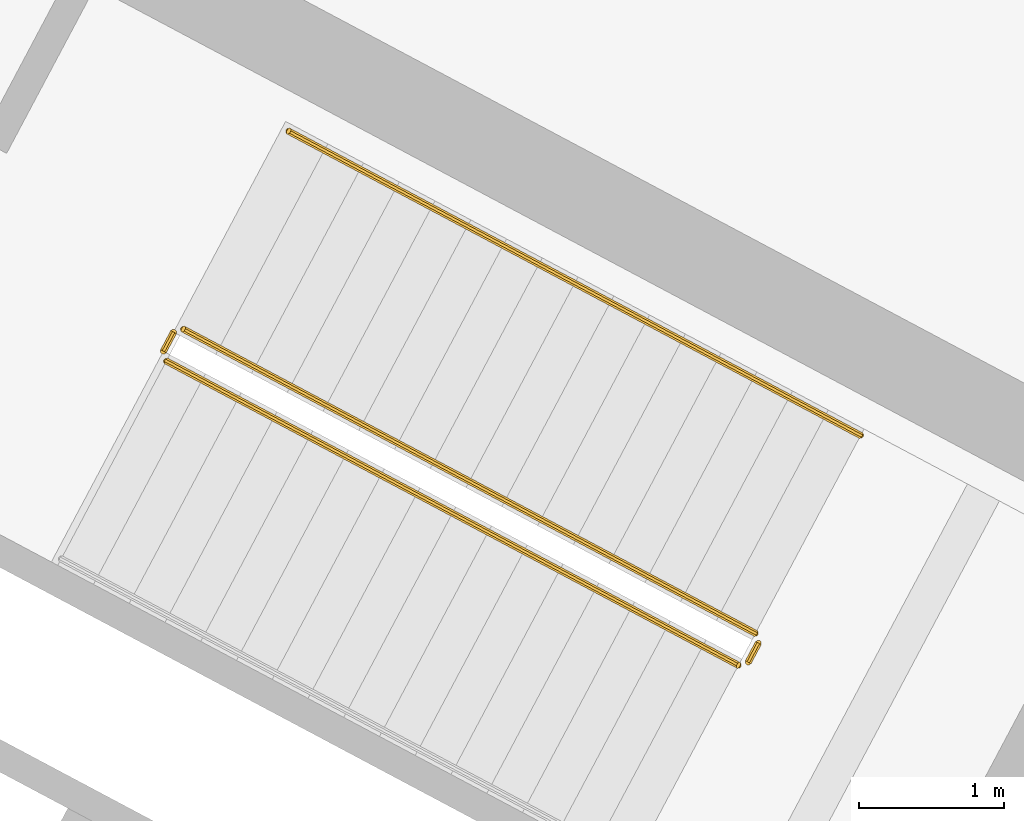
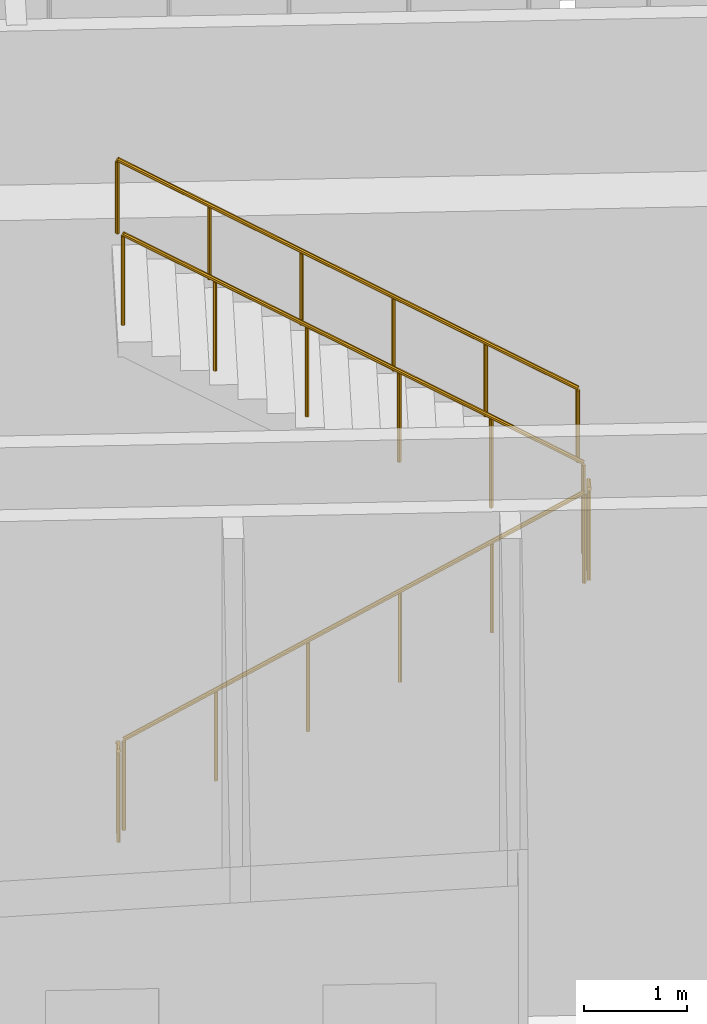
# One storey, part 27 of 33: 5 railings.
"""IFC4 building model written with IfcOpenShell, lengths in metres."""

from ifc_helpers import new_model, si_unit, direction, frame, origin, place, context, subcontext, project, spatial, polyline, outline, extrude, material, type_object, element, save


model = new_model("IFC4")

# Units and contexts
model_context = context("Model", 3, precision=1e-05, world=origin(), true_north=direction((0.0, 1.0)))
body_context = subcontext(model_context, "Body", "Model", "MODEL_VIEW")
ifc_project = project(units=[si_unit("LENGTHUNIT", "METRE"), si_unit("AREAUNIT", "SQUARE_METRE"), si_unit("VOLUMEUNIT", "CUBIC_METRE"), si_unit("PLANEANGLEUNIT", "RADIAN"), si_unit("MASSUNIT", "GRAM", prefix="KILO")], contexts=[model_context])

# Site, building, storey
site_placement = place(None, origin())
site = spatial("IfcSite", under=ifc_project, at=site_placement, CompositionType="ELEMENT")
building_placement = place(site_placement, origin())
building = spatial("IfcBuilding", under=site, at=building_placement, Name="Cormorant Relay Tower", CompositionType="ELEMENT")
storey_placement = place(building_placement, frame((0.0, 0.0, 252.0)))
storey = spatial("IfcBuildingStorey", under=building, at=storey_placement, Name="L56", CompositionType="ELEMENT", Elevation=252.0)

# Railings
ifc_material_1 = material(Name="Steel ASTM A572 Grade 50 (Fy 345 MPa)", Category="steel")
railing_type_1 = type_object("IfcRailingType", Name="Stair guard 1100", PredefinedType="GUARDRAIL", material=ifc_material_1)
railing_1_placement = place(storey_placement, frame((-20.75048828125, 19.017822265625, 0.176513671875)))
element("IfcRailing", 1, at=railing_1_placement, inside=storey, type_object=railing_type_1, Name="L56 A1 stair guard 1", PredefinedType="GUARDRAIL", context=body_context, shape_type="SweptSolid", body=[
    extrude(outline(polyline([(0.022216796875, 0.00927734375), (0.00927734375, 0.022216796875), (-0.00927734375, 0.022216796875), (-0.022216796875, 0.00927734375), (-0.022216796875, -0.00927734375), (-0.00927734375, -0.022216796875), (0.00927734375, -0.022216796875), (0.022216796875, -0.00927734375), (0.022216796875, 0.00927734375)])), frame((0.0, 0.0, 1.076171875), z_axis=(0.746967351038, -0.397180825157, 0.533185866853), x_axis=(0.469481920044, 0.882942085729, 0.0)), (0.0, 0.0, 1.0), 5.29541015625),
    extrude(outline(polyline([(0.019287109375, 0.008056640625), (0.008056640625, 0.019287109375), (-0.008056640625, 0.019287109375), (-0.019287109375, 0.008056640625), (-0.019287109375, -0.008056640625), (-0.008056640625, -0.019287109375), (0.008056640625, -0.019287109375), (0.019287109375, -0.008056640625), (0.019287109375, 0.008056640625)])), origin(), (0.0, 0.0, 1.0), 1.052001953125),
    extrude(outline(polyline([(0.019287109375, 0.008056640625), (0.008056640625, 0.019287109375), (-0.008056640625, 0.019287109375), (-0.019287109375, 0.008056640625), (-0.019287109375, -0.008056640625), (-0.008056640625, -0.019287109375), (0.008056640625, -0.019287109375), (0.019287109375, -0.008056640625), (0.019287109375, 0.008056640625)])), frame((0.791015625, -0.420654296875, 0.564697265625)), (0.0, 0.0, 1.0), 1.052001953125),
    extrude(outline(polyline([(0.019287109375, 0.008056640625), (0.008056640625, 0.019287109375), (-0.008056640625, 0.019287109375), (-0.019287109375, 0.008056640625), (-0.019287109375, -0.008056640625), (-0.008056640625, -0.019287109375), (0.008056640625, -0.019287109375), (0.019287109375, -0.008056640625), (0.019287109375, 0.008056640625)])), frame((1.582275390625, -0.84130859375, 1.12939453125)), (0.0, 0.0, 1.0), 1.052001953125),
    extrude(outline(polyline([(0.019287109375, 0.008056640625), (0.008056640625, 0.019287109375), (-0.008056640625, 0.019287109375), (-0.019287109375, 0.008056640625), (-0.019287109375, -0.008056640625), (-0.008056640625, -0.019287109375), (0.008056640625, -0.019287109375), (0.019287109375, -0.008056640625), (0.019287109375, 0.008056640625)])), frame((2.373291015625, -1.261962890625, 1.694091796875)), (0.0, 0.0, 1.0), 1.052001953125),
    extrude(outline(polyline([(0.019287109375, 0.008056640625), (0.008056640625, 0.019287109375), (-0.008056640625, 0.019287109375), (-0.019287109375, 0.008056640625), (-0.019287109375, -0.008056640625), (-0.008056640625, -0.019287109375), (0.008056640625, -0.019287109375), (0.019287109375, -0.008056640625), (0.019287109375, 0.008056640625)])), frame((3.16455078125, -1.6826171875, 2.2587890625)), (0.0, 0.0, 1.0), 1.052001953125),
    extrude(outline(polyline([(0.019287109375, 0.008056640625), (0.008056640625, 0.019287109375), (-0.008056640625, 0.019287109375), (-0.019287109375, 0.008056640625), (-0.019287109375, -0.008056640625), (-0.008056640625, -0.019287109375), (0.008056640625, -0.019287109375), (0.019287109375, -0.008056640625), (0.019287109375, 0.008056640625)])), frame((3.95556640625, -2.103271484375, 2.823486328125)), (0.0, 0.0, 1.0), 1.052001953125),
])
railing_2_placement = place(storey_placement, frame((-16.727294921875, 16.935302734375, 3.0)))
element("IfcRailing", 2, at=railing_2_placement, inside=storey, type_object=railing_type_1, Name="L56 A1 stair guard 2", PredefinedType="GUARDRAIL", context=body_context, shape_type="SweptSolid", body=[
    extrude(outline(polyline([(0.022216796875, 0.00927734375), (0.00927734375, 0.022216796875), (-0.00927734375, 0.022216796875), (-0.022216796875, 0.00927734375), (-0.022216796875, -0.00927734375), (-0.00927734375, -0.022216796875), (0.00927734375, -0.022216796875), (0.022216796875, -0.00927734375), (0.022216796875, 0.00927734375)])), frame((0.0, 0.0, 1.076171875), z_axis=(0.46856034887, 0.8834314911, 0.0), x_axis=(-0.8834314911, 0.46856034887, 0.0)), (0.0, 0.0, 1.0), 0.150146484375),
    extrude(outline(polyline([(0.019287109375, 0.008056640625), (0.008056640625, 0.019287109375), (-0.008056640625, 0.019287109375), (-0.019287109375, 0.008056640625), (-0.019287109375, -0.008056640625), (-0.008056640625, -0.019287109375), (0.008056640625, -0.019287109375), (0.019287109375, -0.008056640625), (0.019287109375, 0.008056640625)])), origin(), (0.0, 0.0, 1.0), 1.052001953125),
    extrude(outline(polyline([(0.019287109375, 0.008056640625), (0.008056640625, 0.019287109375), (-0.008056640625, 0.019287109375), (-0.019287109375, 0.008056640625), (-0.019287109375, -0.008056640625), (-0.008056640625, -0.019287109375), (0.008056640625, -0.019287109375), (0.019287109375, -0.008056640625), (0.019287109375, 0.008056640625)])), frame((0.0703125, 0.132568359375, 0.0)), (0.0, 0.0, 1.0), 1.052001953125),
])
railing_3_placement = place(storey_placement, frame((-16.677490234375, 17.135498046875, 3.176513671875)))
element("IfcRailing", 3, at=railing_3_placement, inside=storey, type_object=railing_type_1, Name="L56 A1 stair guard 3", PredefinedType="GUARDRAIL", context=body_context, shape_type="SweptSolid", body=[
    extrude(outline(polyline([(0.022216796875, 0.00927734375), (0.00927734375, 0.022216796875), (-0.00927734375, 0.022216796875), (-0.022216796875, 0.00927734375), (-0.022216796875, -0.00927734375), (-0.00927734375, -0.022216796875), (0.00927734375, -0.022216796875), (0.022216796875, -0.00927734375), (0.022216796875, 0.00927734375)])), frame((0.0, 0.0, 1.076171875), z_axis=(-0.747001406545, 0.39712831673, 0.533177267586), x_axis=(-0.469416846059, -0.882976684084, 0.0)), (0.0, 0.0, 1.0), 5.295654296875),
    extrude(outline(polyline([(0.019287109375, 0.008056640625), (0.008056640625, 0.019287109375), (-0.008056640625, 0.019287109375), (-0.019287109375, 0.008056640625), (-0.019287109375, -0.008056640625), (-0.008056640625, -0.019287109375), (0.008056640625, -0.019287109375), (0.019287109375, -0.008056640625), (0.019287109375, 0.008056640625)])), origin(), (0.0, 0.0, 1.0), 1.052001953125),
    extrude(outline(polyline([(0.019287109375, 0.008056640625), (0.008056640625, 0.019287109375), (-0.008056640625, 0.019287109375), (-0.019287109375, 0.008056640625), (-0.019287109375, -0.008056640625), (-0.008056640625, -0.019287109375), (0.008056640625, -0.019287109375), (0.019287109375, -0.008056640625), (0.019287109375, 0.008056640625)])), frame((-0.791259765625, 0.420654296875, 0.564697265625)), (0.0, 0.0, 1.0), 1.052001953125),
    extrude(outline(polyline([(0.019287109375, 0.008056640625), (0.008056640625, 0.019287109375), (-0.008056640625, 0.019287109375), (-0.019287109375, 0.008056640625), (-0.019287109375, -0.008056640625), (-0.008056640625, -0.019287109375), (0.008056640625, -0.019287109375), (0.019287109375, -0.008056640625), (0.019287109375, 0.008056640625)])), frame((-1.582275390625, 0.84130859375, 1.12939453125)), (0.0, 0.0, 1.0), 1.052001953125),
    extrude(outline(polyline([(0.019287109375, 0.008056640625), (0.008056640625, 0.019287109375), (-0.008056640625, 0.019287109375), (-0.019287109375, 0.008056640625), (-0.019287109375, -0.008056640625), (-0.008056640625, -0.019287109375), (0.008056640625, -0.019287109375), (0.019287109375, -0.008056640625), (0.019287109375, 0.008056640625)])), frame((-2.37353515625, 1.26171875, 1.694091796875)), (0.0, 0.0, 1.0), 1.052001953125),
    extrude(outline(polyline([(0.019287109375, 0.008056640625), (0.008056640625, 0.019287109375), (-0.008056640625, 0.019287109375), (-0.019287109375, 0.008056640625), (-0.019287109375, -0.008056640625), (-0.008056640625, -0.019287109375), (0.008056640625, -0.019287109375), (0.019287109375, -0.008056640625), (0.019287109375, 0.008056640625)])), frame((-3.16455078125, 1.682373046875, 2.2587890625)), (0.0, 0.0, 1.0), 1.052001953125),
    extrude(outline(polyline([(0.019287109375, 0.008056640625), (0.008056640625, 0.019287109375), (-0.008056640625, 0.019287109375), (-0.019287109375, 0.008056640625), (-0.019287109375, -0.008056640625), (-0.008056640625, -0.019287109375), (0.008056640625, -0.019287109375), (0.019287109375, -0.008056640625), (0.019287109375, 0.008056640625)])), frame((-3.955810546875, 2.10302734375, 2.823486328125)), (0.0, 0.0, 1.0), 1.052001953125),
])
railing_4_placement = place(storey_placement, frame((-20.771240234375, 19.08544921875, 0.0)))
element("IfcRailing", 4, at=railing_4_placement, inside=storey, type_object=railing_type_1, Name="L56 A1 stair guard 4", PredefinedType="GUARDRAIL", context=body_context, shape_type="SweptSolid", body=[
    extrude(outline(polyline([(0.022216796875, 0.00927734375), (0.00927734375, 0.022216796875), (-0.00927734375, 0.022216796875), (-0.022216796875, 0.00927734375), (-0.022216796875, -0.00927734375), (-0.00927734375, -0.022216796875), (0.00927734375, -0.022216796875), (0.022216796875, -0.00927734375), (0.022216796875, 0.00927734375)])), frame((0.0, 0.0, 1.076171875), z_axis=(0.469828648786, 0.882757634224, 0.0), x_axis=(-0.882757634224, 0.469828648786, 0.0)), (0.0, 0.0, 1.0), 0.150146484375),
    extrude(outline(polyline([(0.019287109375, 0.008056640625), (0.008056640625, 0.019287109375), (-0.008056640625, 0.019287109375), (-0.019287109375, 0.008056640625), (-0.019287109375, -0.008056640625), (-0.008056640625, -0.019287109375), (0.008056640625, -0.019287109375), (0.019287109375, -0.008056640625), (0.019287109375, 0.008056640625)])), origin(), (0.0, 0.0, 1.0), 1.052001953125),
    extrude(outline(polyline([(0.019287109375, 0.008056640625), (0.008056640625, 0.019287109375), (-0.008056640625, 0.019287109375), (-0.019287109375, 0.008056640625), (-0.019287109375, -0.008056640625), (-0.008056640625, -0.019287109375), (0.008056640625, -0.019287109375), (0.019287109375, -0.008056640625), (0.019287109375, 0.008056640625)])), frame((0.070556640625, 0.132568359375, 0.0)), (0.0, 0.0, 1.0), 1.052001953125),
])
ifc_material_2 = material(Name="Steel ASTM A572 Grade 50 (Fy 345 MPa)", Category="steel")
railing_type_2 = type_object("IfcRailingType", Name="Stair handrail 900", PredefinedType="HANDRAIL", material=ifc_material_2)
railing_5_placement = place(storey_placement, frame((-15.949951171875, 18.50390625, 3.176513671875)))
element("IfcRailing", 5, at=railing_5_placement, inside=storey, type_object=railing_type_2, Name="L56 A1 stair handrail 2", PredefinedType="HANDRAIL", context=body_context, shape_type="SweptSolid", body=[
    extrude(outline(polyline([(0.022216796875, 0.00927734375), (0.00927734375, 0.022216796875), (-0.00927734375, 0.022216796875), (-0.022216796875, 0.00927734375), (-0.022216796875, -0.00927734375), (-0.00927734375, -0.022216796875), (0.00927734375, -0.022216796875), (0.022216796875, -0.00927734375), (0.022216796875, 0.00927734375)])), frame((0.0, 0.0, 0.8759765625), z_axis=(-0.746967351038, 0.397180825157, 0.533185866853), x_axis=(-0.469481920044, -0.882942085729, 0.0)), (0.0, 0.0, 1.0), 5.29541015625),
    extrude(outline(polyline([(0.019287109375, 0.008056640625), (0.008056640625, 0.019287109375), (-0.008056640625, 0.019287109375), (-0.019287109375, 0.008056640625), (-0.019287109375, -0.008056640625), (-0.008056640625, -0.019287109375), (0.008056640625, -0.019287109375), (0.019287109375, -0.008056640625), (0.019287109375, 0.008056640625)])), origin(), (0.0, 0.0, 1.0), 0.851806640625),
    extrude(outline(polyline([(0.019287109375, 0.008056640625), (0.008056640625, 0.019287109375), (-0.008056640625, 0.019287109375), (-0.019287109375, 0.008056640625), (-0.019287109375, -0.008056640625), (-0.008056640625, -0.019287109375), (0.008056640625, -0.019287109375), (0.019287109375, -0.008056640625), (0.019287109375, 0.008056640625)])), frame((-0.791015625, 0.420654296875, 0.564697265625)), (0.0, 0.0, 1.0), 0.851806640625),
    extrude(outline(polyline([(0.019287109375, 0.008056640625), (0.008056640625, 0.019287109375), (-0.008056640625, 0.019287109375), (-0.019287109375, 0.008056640625), (-0.019287109375, -0.008056640625), (-0.008056640625, -0.019287109375), (0.008056640625, -0.019287109375), (0.019287109375, -0.008056640625), (0.019287109375, 0.008056640625)])), frame((-1.582275390625, 0.84130859375, 1.12939453125)), (0.0, 0.0, 1.0), 0.851806640625),
    extrude(outline(polyline([(0.019287109375, 0.008056640625), (0.008056640625, 0.019287109375), (-0.008056640625, 0.019287109375), (-0.019287109375, 0.008056640625), (-0.019287109375, -0.008056640625), (-0.008056640625, -0.019287109375), (0.008056640625, -0.019287109375), (0.019287109375, -0.008056640625), (0.019287109375, 0.008056640625)])), frame((-2.373291015625, 1.261962890625, 1.694091796875)), (0.0, 0.0, 1.0), 0.851806640625),
    extrude(outline(polyline([(0.019287109375, 0.008056640625), (0.008056640625, 0.019287109375), (-0.008056640625, 0.019287109375), (-0.019287109375, 0.008056640625), (-0.019287109375, -0.008056640625), (-0.008056640625, -0.019287109375), (0.008056640625, -0.019287109375), (0.019287109375, -0.008056640625), (0.019287109375, 0.008056640625)])), frame((-3.16455078125, 1.6826171875, 2.2587890625)), (0.0, 0.0, 1.0), 0.851806640625),
    extrude(outline(polyline([(0.019287109375, 0.008056640625), (0.008056640625, 0.019287109375), (-0.008056640625, 0.019287109375), (-0.019287109375, 0.008056640625), (-0.019287109375, -0.008056640625), (-0.008056640625, -0.019287109375), (0.008056640625, -0.019287109375), (0.019287109375, -0.008056640625), (0.019287109375, 0.008056640625)])), frame((-3.95556640625, 2.103271484375, 2.823486328125)), (0.0, 0.0, 1.0), 0.851806640625),
])

save(model, "model.ifc")
